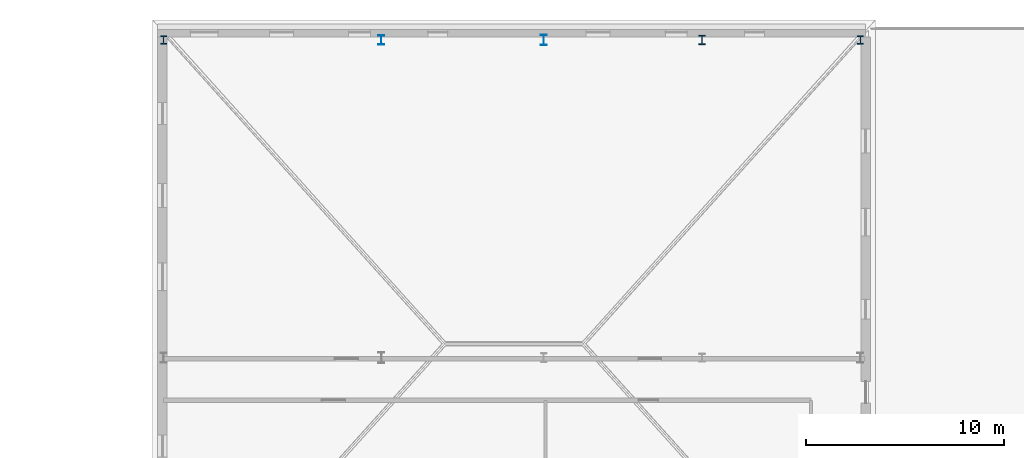
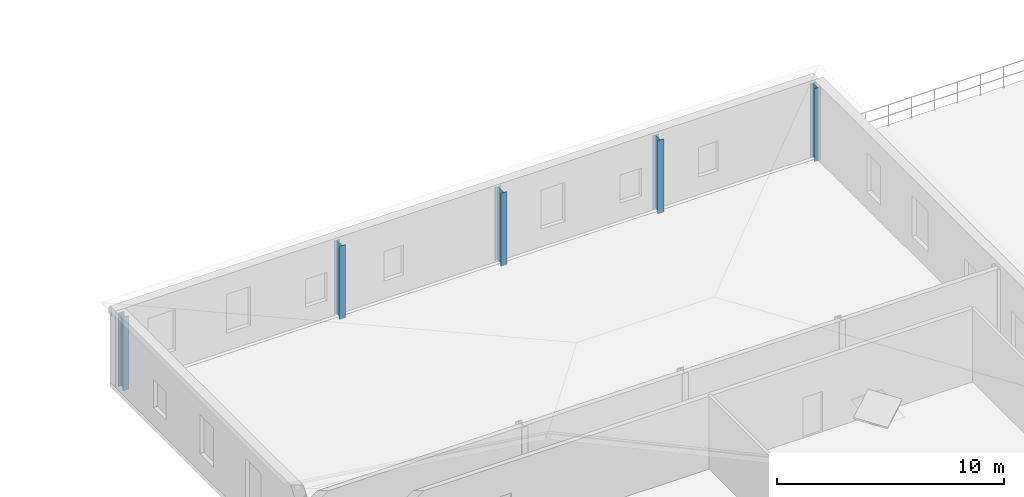
# One storey, part 6 of 57: 5 columns.
"""IFC4 building model written with IfcOpenShell, lengths in metres."""

from ifc_helpers import new_model, si_unit, direction, frame, origin, origin_2d, place, context, subcontext, project, spatial, i_section, extrude, material, material_profile, profile_set, type_object, element, save


model = new_model("IFC4")

# Units and contexts
model_context = context("Model", 3, precision=1e-05, world=origin(), true_north=direction((0.0, 1.0)))
body_context = subcontext(model_context, "Body", "Model", "MODEL_VIEW")
ifc_project = project(units=[si_unit("LENGTHUNIT", "METRE"), si_unit("AREAUNIT", "SQUARE_METRE"), si_unit("VOLUMEUNIT", "CUBIC_METRE"), si_unit("PLANEANGLEUNIT", "RADIAN"), si_unit("MASSUNIT", "GRAM", prefix="KILO"), si_unit("THERMODYNAMICTEMPERATUREUNIT", "KELVIN"), si_unit("POWERUNIT", "WATT")], contexts=[model_context])

# Site, building, storey
site_placement = place(None, origin())
site = spatial("IfcSite", under=ifc_project, at=site_placement, CompositionType="ELEMENT")
building_placement = place(site_placement, origin())
building = spatial("IfcBuilding", under=site, at=building_placement, Name="Solvatero Civic Police Headquarters", CompositionType="ELEMENT")
storey_placement = place(building_placement, frame((0.0, 0.0, 9.300048828125)))
storey = spatial("IfcBuildingStorey", under=building, at=storey_placement, Name="L02", CompositionType="ELEMENT", Elevation=9.300048828125)

# Columns
ifc_material = material(Name="Steel S355", Category="steel")
ifc_material_profile_1 = material_profile(ifc_material, i_section(OverallWidth=0.300048828125, OverallDepth=0.5, WebThickness=0.014404296875, FlangeThickness=0.028076171875, FilletRadius=0.027099609375, at=origin_2d()), Name="HEB 500")
ifc_profile_set_1 = profile_set([ifc_material_profile_1], Name="Steel S355")
column_type_1 = type_object("IfcColumnType", Name="COL-ST-HEB500", PredefinedType="COLUMN", material=ifc_profile_set_1)
column_1_placement = place(storey_placement, frame((39.800048828125, 116.550048828125, 0.0), z_axis=(0.0, 0.0, 1.0), x_axis=(1.0, 0.0, 0.0)))
element("IfcColumn", 1, at=column_1_placement, inside=storey, type_object=column_type_1, Name="Column V7-X2Y3 L02", PredefinedType="COLUMN", context=body_context, shape_type="SweptSolid", body=[
    extrude(i_section(OverallWidth=0.300048828125, OverallDepth=0.5, WebThickness=0.014404296875, FlangeThickness=0.028076171875, FilletRadius=0.027099609375, at=origin_2d()), origin(), (0.0, 0.0, 1.0), 3.93994140625),
])
ifc_material_profile_2 = material_profile(ifc_material, i_section(OverallWidth=0.300048828125, OverallDepth=0.550048828125, WebThickness=0.014892578125, FlangeThickness=0.029052734375, FilletRadius=0.027099609375, at=origin_2d()), Name="HEB 550")
ifc_profile_set_2 = profile_set([ifc_material_profile_2], Name="Steel S355")
column_type_2 = type_object("IfcColumnType", Name="COL-ST-HEB550", PredefinedType="COLUMN", material=ifc_profile_set_2)
column_2_placement = place(storey_placement, frame((48.0, 116.550048828125, 0.0), z_axis=(0.0, 0.0, 1.0), x_axis=(1.0, 0.0, 0.0)))
element("IfcColumn", 2, at=column_2_placement, inside=storey, type_object=column_type_2, Name="Column V7-X3Y3 L02", PredefinedType="COLUMN", context=body_context, shape_type="SweptSolid", body=[
    extrude(i_section(OverallWidth=0.300048828125, OverallDepth=0.550048828125, WebThickness=0.014892578125, FlangeThickness=0.029052734375, FilletRadius=0.027099609375, at=origin_2d()), origin(), (0.0, 0.0, 1.0), 3.93994140625),
])
ifc_material_profile_3 = material_profile(ifc_material, i_section(OverallWidth=0.306884765625, OverallDepth=0.431884765625, WebThickness=0.02099609375, FlangeThickness=0.0400390625, FilletRadius=0.027099609375, at=origin_2d()), Name="HEM 400")
ifc_profile_set_3 = profile_set([ifc_material_profile_3], Name="Steel S355")
column_type_3 = type_object("IfcColumnType", Name="COL-ST-HEM400", PredefinedType="COLUMN", material=ifc_profile_set_3)
for number, where, z_axis, x_axis, name in (
    (3, (28.800048828125, 116.550048828125, 0.0), (0.0, 0.0, 1.0), (1.0, 0.0, 0.0), "Column V7-X1Y3 L02"),
    (4, (64.0, 116.550048828125, 0.0), (0.0, 0.0, 1.0), (1.0, 0.0, 0.0), "Column V7-X5Y3 L02"),
):
    element("IfcColumn", number, at=place(storey_placement, frame(where, z_axis=z_axis, x_axis=x_axis)), inside=storey, type_object=column_type_3, Name=name, PredefinedType="COLUMN", context=body_context, shape_type="SweptSolid", body=[
        extrude(i_section(OverallWidth=0.306884765625, OverallDepth=0.431884765625, WebThickness=0.02099609375, FlangeThickness=0.0400390625, FilletRadius=0.027099609375, at=origin_2d()), origin(), (0.0, 0.0, 1.0), 3.93994140625),
    ])
ifc_material_profile_4 = material_profile(ifc_material, i_section(OverallWidth=0.306884765625, OverallDepth=0.47802734375, WebThickness=0.02099609375, FlangeThickness=0.0400390625, FilletRadius=0.027099609375, at=origin_2d()), Name="HEM 450")
ifc_profile_set_4 = profile_set([ifc_material_profile_4], Name="Steel S355")
column_type_4 = type_object("IfcColumnType", Name="COL-ST-HEM450", PredefinedType="COLUMN", material=ifc_profile_set_4)
column_3_placement = place(storey_placement, frame((56.0, 116.550048828125, 0.0), z_axis=(0.0, 0.0, 1.0), x_axis=(1.0, 0.0, 0.0)))
element("IfcColumn", 5, at=column_3_placement, inside=storey, type_object=column_type_4, Name="Column V7-X4Y3 L02", PredefinedType="COLUMN", context=body_context, shape_type="SweptSolid", body=[
    extrude(i_section(OverallWidth=0.306884765625, OverallDepth=0.47802734375, WebThickness=0.02099609375, FlangeThickness=0.0400390625, FilletRadius=0.027099609375, at=origin_2d()), origin(), (0.0, 0.0, 1.0), 3.93994140625),
])

save(model, "model.ifc")
